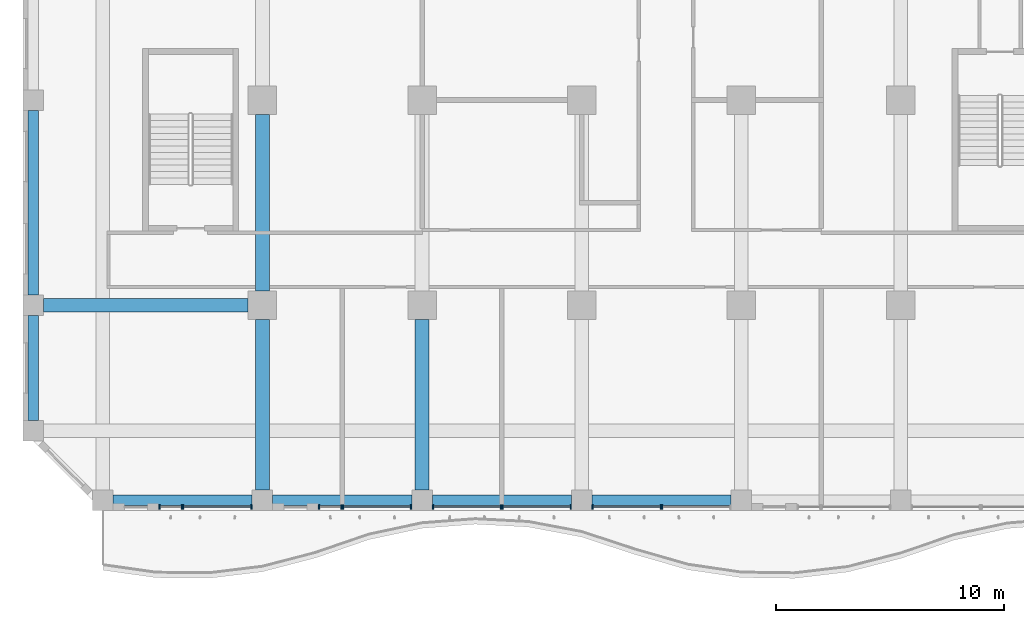
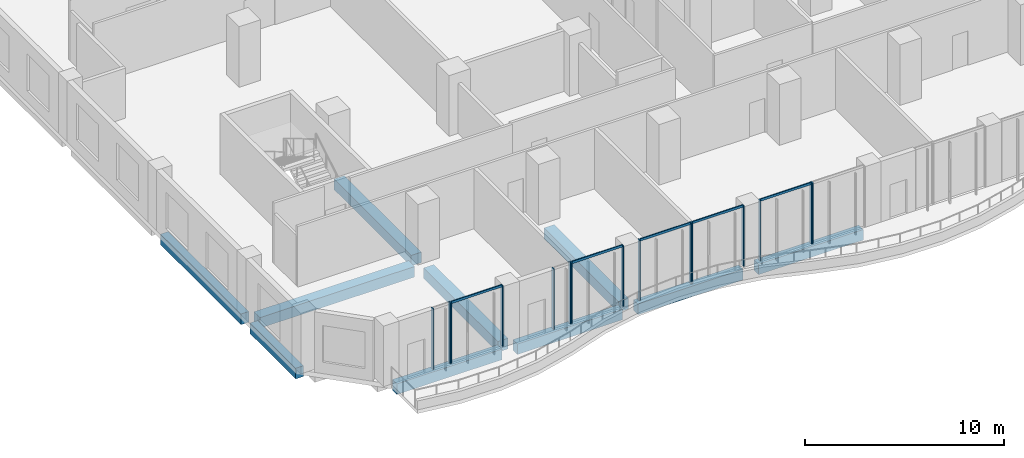
# One storey, part 2 of 29: 20 members, 10 beams, 8 elements without a shape of their own.
"""IFC4 building model written with IfcOpenShell, lengths in metres."""

from ifc_helpers import new_model, si_unit, direction, frame, origin, origin_2d, place, context, subcontext, project, spatial, rectangle, extrude, source, transform, mapped, material, material_profile, profile_set, type_object, element, aggregate, save


model = new_model("IFC4")

# Units and contexts
model_context = context("Model", 3, precision=1e-05, world=origin(), true_north=direction((0.0, 1.0)))
body_context = subcontext(model_context, "Body", "Model", "MODEL_VIEW")
ifc_project = project(units=[si_unit("LENGTHUNIT", "METRE"), si_unit("AREAUNIT", "SQUARE_METRE"), si_unit("VOLUMEUNIT", "CUBIC_METRE"), si_unit("PLANEANGLEUNIT", "RADIAN"), si_unit("MASSUNIT", "GRAM", prefix="KILO")], contexts=[model_context])

# Site, building, storey
site_placement = place(None, origin())
site = spatial("IfcSite", under=ifc_project, at=site_placement, CompositionType="ELEMENT")
building_placement = place(site_placement, origin())
building = spatial("IfcBuilding", under=site, at=building_placement, Name="Kilnfold Tower and Market Hall", CompositionType="ELEMENT")
storey_placement = place(building_placement, frame((0.0, 0.0, 79.199951171875)))
storey = spatial("IfcBuildingStorey", under=building, at=storey_placement, Name="L18", CompositionType="ELEMENT", Elevation=79.199951171875)

# Beams
ifc_material_1 = material(Name="Concrete C45", Category="concrete")
ifc_material_profile_1 = material_profile(ifc_material_1, rectangle(XDim=0.449951171875, YDim=0.64990234375, at=origin_2d()), Name="RC 450x650")
ifc_profile_set_1 = profile_set([ifc_material_profile_1], Name="Concrete C45")
beam_type_1 = type_object("IfcBeamType", Name="EDGE BEAM 450X650 C45", PredefinedType="BEAM", material=ifc_profile_set_1)
shared_shape_1 = source(origin(), body_context, "Body", "SweptSolid", [
    extrude(rectangle(XDim=0.449951171875, YDim=0.64990234375, at=origin_2d()), origin(), (0.0, 0.0, 1.0), 6.10009765625),
])
for number, where, z_axis, x_axis, name in (
    (1, (-19.050048828125, -27.550048828125, -0.60498046875), (1.0, 0.0, 0.0), (0.0, 1.0, 0.0), "Beam EB650-B2.60"),
    (2, (-12.050048828125, -27.550048828125, -0.60498046875), (1.0, 0.0, 0.0), (0.0, 1.0, 0.0), "Beam EB650-B2.61"),
    (3, (-5.050048828125, -27.550048828125, -0.60498046875), (1.0, 0.0, 0.0), (0.0, 1.0, 0.0), "Beam EB650-B2.62"),
    (4, (1.949951171875, -27.550048828125, -0.60498046875), (1.0, 0.0, 0.0), (0.0, 1.0, 0.0), "Beam EB650-B2.63"),
):
    element("IfcBeam", number, at=place(storey_placement, frame(where, z_axis=z_axis, x_axis=x_axis)), inside=storey, type_object=beam_type_1, Name=name, PredefinedType="BEAM", context=body_context, shape_type="MappedRepresentation", body=[
        mapped(shared_shape_1, transform((0.0, 0.0, 0.0))),
    ])
shared_shape_2 = source(origin(), body_context, "Body", "SweptSolid", [
    extrude(rectangle(XDim=0.449951171875, YDim=0.64990234375, at=origin_2d()), origin(), (0.0, 0.0, 1.0), 4.60009765625),
])
beam_1_placement = place(storey_placement, frame((-22.550048828125, -24.050048828125, -0.60498046875), z_axis=(0.0, 1.0, 0.0), x_axis=(-1.0, 0.0, 0.0)))
element("IfcBeam", 5, at=beam_1_placement, inside=storey, type_object=beam_type_1, Name="Beam EB650-B2.37", PredefinedType="BEAM", context=body_context, shape_type="MappedRepresentation", body=[
    mapped(shared_shape_2, transform((0.0, 0.0, 0.0))),
])
shared_shape_3 = source(origin(), body_context, "Body", "SweptSolid", [
    extrude(rectangle(XDim=0.449951171875, YDim=0.64990234375, at=origin_2d()), origin(), (0.0, 0.0, 1.0), 8.10009765625),
])
beam_2_placement = place(storey_placement, frame((-22.550048828125, -18.550048828125, -0.60498046875), z_axis=(0.0, 1.0, 0.0), x_axis=(-1.0, 0.0, 0.0)))
element("IfcBeam", 6, at=beam_2_placement, inside=storey, type_object=beam_type_1, Name="Beam EB650-B2.38", PredefinedType="BEAM", context=body_context, shape_type="MappedRepresentation", body=[
    mapped(shared_shape_3, transform((0.0, 0.0, 0.0))),
])
ifc_material_2 = material(Name="Concrete C45", Category="concrete")
ifc_material_profile_2 = material_profile(ifc_material_2, rectangle(XDim=0.60009765625, YDim=0.64990234375, at=origin_2d()), Name="RC 600x650")
ifc_profile_set_2 = profile_set([ifc_material_profile_2], Name="Concrete C45")
beam_type_2 = type_object("IfcBeamType", Name="BEAM 600X650 C45", PredefinedType="BEAM", material=ifc_profile_set_2)
shared_shape_4 = source(origin(), body_context, "Body", "SweptSolid", [
    extrude(rectangle(XDim=0.60009765625, YDim=0.64990234375, at=origin_2d()), origin(), (0.0, 0.0, 1.0), 8.97509765625),
])
beam_3_placement = place(storey_placement, frame((-22.10009765625, -19.0, -0.60498046875), z_axis=(1.0, 0.0, 0.0), x_axis=(0.0, 1.0, 0.0)))
element("IfcBeam", 7, at=beam_3_placement, inside=storey, type_object=beam_type_2, Name="Beam BB650-B2.68", PredefinedType="BEAM", context=body_context, shape_type="MappedRepresentation", body=[
    mapped(shared_shape_4, transform((0.0, 0.0, 0.0))),
])
shared_shape_5 = source(origin(), body_context, "Body", "SweptSolid", [
    extrude(rectangle(XDim=0.60009765625, YDim=0.64990234375, at=origin_2d()), origin(), (0.0, 0.0, 1.0), 7.47509765625),
])
for number, where, z_axis, x_axis, name in (
    (8, (-12.5, -27.10009765625, -0.60498046875), (0.0, 1.0, 0.0), (-1.0, 0.0, 0.0), "Beam BB650-B2.82"),
    (9, (-5.5, -27.10009765625, -0.60498046875), (0.0, 1.0, 0.0), (-1.0, 0.0, 0.0), "Beam BB650-B2.85"),
):
    element("IfcBeam", number, at=place(storey_placement, frame(where, z_axis=z_axis, x_axis=x_axis)), inside=storey, type_object=beam_type_2, Name=name, PredefinedType="BEAM", context=body_context, shape_type="MappedRepresentation", body=[
        mapped(shared_shape_5, transform((0.0, 0.0, 0.0))),
    ])
shared_shape_6 = source(origin(), body_context, "Body", "SweptSolid", [
    extrude(rectangle(XDim=0.60009765625, YDim=0.64990234375, at=origin_2d()), origin(), (0.0, 0.0, 1.0), 7.75),
])
beam_4_placement = place(storey_placement, frame((-12.5, -18.375, -0.60498046875), z_axis=(0.0, 1.0, 0.0), x_axis=(-1.0, 0.0, 0.0)))
element("IfcBeam", 10, at=beam_4_placement, inside=storey, type_object=beam_type_2, Name="Beam BB650-B2.83", PredefinedType="BEAM", context=body_context, shape_type="MappedRepresentation", body=[
    mapped(shared_shape_6, transform((0.0, 0.0, 0.0))),
])

# Curtain wall, members
ifc_material_3 = material(Name="Aluminium and double glazing", Category="aluminium")
curtain_wall_type = type_object("IfcCurtainWallType", Name="CW OF1 VALLEY GLAZING", PredefinedType="NOTDEFINED", material=ifc_material_3)
curtain_wall_1_placement = place(storey_placement, origin())
curtain_wall_1 = element("IfcCurtainWall", 11, at=curtain_wall_1_placement, inside=storey, type_object=curtain_wall_type, Name="Curtain wall CW1 L18 S", PredefinedType="NOTDEFINED")
ifc_material_4 = material(Name="Aluminium", Category="aluminium")
ifc_material_profile_3 = material_profile(ifc_material_4, rectangle(XDim=0.06005859375, YDim=0.179931640625, at=origin_2d()), Name="MULLION 60x180")
ifc_profile_set_3 = profile_set([ifc_material_profile_3], Name="Aluminium")
member_type_1 = type_object("IfcMemberType", Name="MULLION 60X180", PredefinedType="MULLION", material=ifc_profile_set_3)
shared_shape_7 = source(origin(), body_context, "Body", "SweptSolid", [
    extrude(rectangle(XDim=0.06005859375, YDim=0.179931640625, at=origin_2d()), origin(), (0.0, 0.0, 1.0), 3.719970703125),
])
member_1_placement = place(storey_placement, frame((-17.02001953125, -27.85009765625, 0.0), z_axis=(0.0, 0.0, 1.0), x_axis=(1.0, 0.0, 0.0)))
member_1 = element("IfcMember", 12, at=member_1_placement, type_object=member_type_1, Name="CW1 mullion 1", PredefinedType="MULLION", context=body_context, shape_type="MappedRepresentation", body=[
    mapped(shared_shape_7, transform((0.0, 0.0, 0.0))),
])
member_2_placement = place(storey_placement, frame((-16.030029296875, -27.85009765625, 0.0), z_axis=(0.0, 0.0, 1.0), x_axis=(1.0, 0.0, 0.0)))
member_2 = element("IfcMember", 13, at=member_2_placement, type_object=member_type_1, Name="CW1 mullion 2", PredefinedType="MULLION", context=body_context, shape_type="MappedRepresentation", body=[
    mapped(shared_shape_7, transform((0.0, 0.0, 0.0))),
])
aggregate(curtain_wall_1, [member_1, member_2])

curtain_wall_2_placement = place(storey_placement, origin())
curtain_wall_2 = element("IfcCurtainWall", 14, at=curtain_wall_2_placement, inside=storey, type_object=curtain_wall_type, Name="Curtain wall CW1 L18 S", PredefinedType="NOTDEFINED")
member_3_placement = place(storey_placement, frame((-15.969970703125, -27.85009765625, 0.0), z_axis=(0.0, 0.0, 1.0), x_axis=(1.0, 0.0, 0.0)))
member_3 = element("IfcMember", 15, at=member_3_placement, type_object=member_type_1, Name="CW1 mullion 1", PredefinedType="MULLION", context=body_context, shape_type="MappedRepresentation", body=[
    mapped(shared_shape_7, transform((0.0, 0.0, 0.0))),
])
member_4_placement = place(storey_placement, frame((-12.97998046875, -27.85009765625, 0.0), z_axis=(0.0, 0.0, 1.0), x_axis=(1.0, 0.0, 0.0)))
member_4 = element("IfcMember", 16, at=member_4_placement, type_object=member_type_1, Name="CW1 mullion 2", PredefinedType="MULLION", context=body_context, shape_type="MappedRepresentation", body=[
    mapped(shared_shape_7, transform((0.0, 0.0, 0.0))),
])

curtain_wall_3_placement = place(storey_placement, origin())
curtain_wall_3 = element("IfcCurtainWall", 17, at=curtain_wall_3_placement, inside=storey, type_object=curtain_wall_type, Name="Curtain wall CW1 L18 S", PredefinedType="NOTDEFINED")
member_5_placement = place(storey_placement, frame((-10.02001953125, -27.85009765625, 0.0), z_axis=(0.0, 0.0, 1.0), x_axis=(1.0, 0.0, 0.0)))
member_5 = element("IfcMember", 18, at=member_5_placement, type_object=member_type_1, Name="CW1 mullion 1", PredefinedType="MULLION", context=body_context, shape_type="MappedRepresentation", body=[
    mapped(shared_shape_7, transform((0.0, 0.0, 0.0))),
])
member_6_placement = place(storey_placement, frame((-9.030029296875, -27.85009765625, 0.0), z_axis=(0.0, 0.0, 1.0), x_axis=(1.0, 0.0, 0.0)))
member_6 = element("IfcMember", 19, at=member_6_placement, type_object=member_type_1, Name="CW1 mullion 2", PredefinedType="MULLION", context=body_context, shape_type="MappedRepresentation", body=[
    mapped(shared_shape_7, transform((0.0, 0.0, 0.0))),
])
aggregate(curtain_wall_3, [member_5, member_6])

curtain_wall_4_placement = place(storey_placement, origin())
curtain_wall_4 = element("IfcCurtainWall", 20, at=curtain_wall_4_placement, inside=storey, type_object=curtain_wall_type, Name="Curtain wall CW1 L18 S", PredefinedType="NOTDEFINED")
member_7_placement = place(storey_placement, frame((-8.969970703125, -27.85009765625, 0.0), z_axis=(0.0, 0.0, 1.0), x_axis=(1.0, 0.0, 0.0)))
member_7 = element("IfcMember", 21, at=member_7_placement, type_object=member_type_1, Name="CW1 mullion 1", PredefinedType="MULLION", context=body_context, shape_type="MappedRepresentation", body=[
    mapped(shared_shape_7, transform((0.0, 0.0, 0.0))),
])
member_8_placement = place(storey_placement, frame((-5.97998046875, -27.85009765625, 0.0), z_axis=(0.0, 0.0, 1.0), x_axis=(1.0, 0.0, 0.0)))
member_8 = element("IfcMember", 22, at=member_8_placement, type_object=member_type_1, Name="CW1 mullion 2", PredefinedType="MULLION", context=body_context, shape_type="MappedRepresentation", body=[
    mapped(shared_shape_7, transform((0.0, 0.0, 0.0))),
])

curtain_wall_5_placement = place(storey_placement, origin())
curtain_wall_5 = element("IfcCurtainWall", 23, at=curtain_wall_5_placement, inside=storey, type_object=curtain_wall_type, Name="Curtain wall CW1 L18 S", PredefinedType="NOTDEFINED")
member_9_placement = place(storey_placement, frame((-5.02001953125, -27.85009765625, 0.0), z_axis=(0.0, 0.0, 1.0), x_axis=(1.0, 0.0, 0.0)))
member_9 = element("IfcMember", 24, at=member_9_placement, type_object=member_type_1, Name="CW1 mullion 1", PredefinedType="MULLION", context=body_context, shape_type="MappedRepresentation", body=[
    mapped(shared_shape_7, transform((0.0, 0.0, 0.0))),
])
member_10_placement = place(storey_placement, frame((-2.030029296875, -27.85009765625, 0.0), z_axis=(0.0, 0.0, 1.0), x_axis=(1.0, 0.0, 0.0)))
member_10 = element("IfcMember", 25, at=member_10_placement, type_object=member_type_1, Name="CW1 mullion 2", PredefinedType="MULLION", context=body_context, shape_type="MappedRepresentation", body=[
    mapped(shared_shape_7, transform((0.0, 0.0, 0.0))),
])

curtain_wall_6_placement = place(storey_placement, origin())
curtain_wall_6 = element("IfcCurtainWall", 26, at=curtain_wall_6_placement, inside=storey, type_object=curtain_wall_type, Name="Curtain wall CW1 L18 S", PredefinedType="NOTDEFINED")
member_11_placement = place(storey_placement, frame((-1.969970703125, -27.85009765625, 0.0), z_axis=(0.0, 0.0, 1.0), x_axis=(1.0, 0.0, 0.0)))
member_11 = element("IfcMember", 27, at=member_11_placement, type_object=member_type_1, Name="CW1 mullion 1", PredefinedType="MULLION", context=body_context, shape_type="MappedRepresentation", body=[
    mapped(shared_shape_7, transform((0.0, 0.0, 0.0))),
])
member_12_placement = place(storey_placement, frame((1.02001953125, -27.85009765625, 0.0), z_axis=(0.0, 0.0, 1.0), x_axis=(1.0, 0.0, 0.0)))
member_12 = element("IfcMember", 28, at=member_12_placement, type_object=member_type_1, Name="CW1 mullion 2", PredefinedType="MULLION", context=body_context, shape_type="MappedRepresentation", body=[
    mapped(shared_shape_7, transform((0.0, 0.0, 0.0))),
])

curtain_wall_7_placement = place(storey_placement, origin())
curtain_wall_7 = element("IfcCurtainWall", 29, at=curtain_wall_7_placement, inside=storey, type_object=curtain_wall_type, Name="Curtain wall CW1 L18 S", PredefinedType="NOTDEFINED")
member_13_placement = place(storey_placement, frame((1.97998046875, -27.85009765625, 0.0), z_axis=(0.0, 0.0, 1.0), x_axis=(1.0, 0.0, 0.0)))
member_13 = element("IfcMember", 30, at=member_13_placement, type_object=member_type_1, Name="CW1 mullion 1", PredefinedType="MULLION", context=body_context, shape_type="MappedRepresentation", body=[
    mapped(shared_shape_7, transform((0.0, 0.0, 0.0))),
])
member_14_placement = place(storey_placement, frame((4.969970703125, -27.85009765625, 0.0), z_axis=(0.0, 0.0, 1.0), x_axis=(1.0, 0.0, 0.0)))
member_14 = element("IfcMember", 31, at=member_14_placement, type_object=member_type_1, Name="CW1 mullion 2", PredefinedType="MULLION", context=body_context, shape_type="MappedRepresentation", body=[
    mapped(shared_shape_7, transform((0.0, 0.0, 0.0))),
])

# Curtain wall, member
curtain_wall_8_placement = place(storey_placement, origin())
curtain_wall_8 = element("IfcCurtainWall", 32, at=curtain_wall_8_placement, inside=storey, type_object=curtain_wall_type, Name="Curtain wall CW1 L18 S", PredefinedType="NOTDEFINED")
member_15_placement = place(storey_placement, frame((5.030029296875, -27.85009765625, 0.0), z_axis=(0.0, 0.0, 1.0), x_axis=(1.0, 0.0, 0.0)))
member_15 = element("IfcMember", 33, at=member_15_placement, type_object=member_type_1, Name="CW1 mullion 1", PredefinedType="MULLION", context=body_context, shape_type="MappedRepresentation", body=[
    mapped(shared_shape_7, transform((0.0, 0.0, 0.0))),
])
aggregate(curtain_wall_8, [member_15])

# Member
ifc_material_5 = material(Name="Aluminium", Category="aluminium")
ifc_material_profile_4 = material_profile(ifc_material_5, rectangle(XDim=0.06005859375, YDim=0.139892578125, at=origin_2d()), Name="TRANSOM 60x140")
ifc_profile_set_4 = profile_set([ifc_material_profile_4], Name="Aluminium")
member_type_2 = type_object("IfcMemberType", Name="TRANSOM 60X140", PredefinedType="USERDEFINED", material=ifc_profile_set_4)
shared_shape_8 = source(origin(), body_context, "Body", "SweptSolid", [
    extrude(rectangle(XDim=0.06005859375, YDim=0.139892578125, at=origin_2d()), origin(), (0.0, 0.0, 1.0), 2.929931640625),
])
member_16_placement = place(storey_placement, frame((-15.93994140625, -27.85009765625, 3.68994140625), z_axis=(1.0, 0.0, 0.0), x_axis=(0.0, 1.0, 0.0)))
member_16 = element("IfcMember", 34, at=member_16_placement, type_object=member_type_2, Name="CW1 transom 1.2", ObjectType="TRANSOM", PredefinedType="USERDEFINED", context=body_context, shape_type="MappedRepresentation", body=[
    mapped(shared_shape_8, transform((0.0, 0.0, 0.0))),
])

aggregate(curtain_wall_2, [member_3, member_4, member_16])

member_17_placement = place(storey_placement, frame((-8.93994140625, -27.85009765625, 3.68994140625), z_axis=(1.0, 0.0, 0.0), x_axis=(0.0, 1.0, 0.0)))
member_17 = element("IfcMember", 35, at=member_17_placement, type_object=member_type_2, Name="CW1 transom 1.2", ObjectType="TRANSOM", PredefinedType="USERDEFINED", context=body_context, shape_type="MappedRepresentation", body=[
    mapped(shared_shape_8, transform((0.0, 0.0, 0.0))),
])

aggregate(curtain_wall_4, [member_7, member_8, member_17])

member_18_placement = place(storey_placement, frame((-4.989990234375, -27.85009765625, 3.68994140625), z_axis=(1.0, 0.0, 0.0), x_axis=(0.0, 1.0, 0.0)))
member_18 = element("IfcMember", 36, at=member_18_placement, type_object=member_type_2, Name="CW1 transom 1.2", ObjectType="TRANSOM", PredefinedType="USERDEFINED", context=body_context, shape_type="MappedRepresentation", body=[
    mapped(shared_shape_8, transform((0.0, 0.0, 0.0))),
])

aggregate(curtain_wall_5, [member_9, member_10, member_18])

member_19_placement = place(storey_placement, frame((-1.93994140625, -27.85009765625, 3.68994140625), z_axis=(1.0, 0.0, 0.0), x_axis=(0.0, 1.0, 0.0)))
member_19 = element("IfcMember", 37, at=member_19_placement, type_object=member_type_2, Name="CW1 transom 1.2", ObjectType="TRANSOM", PredefinedType="USERDEFINED", context=body_context, shape_type="MappedRepresentation", body=[
    mapped(shared_shape_8, transform((0.0, 0.0, 0.0))),
])

aggregate(curtain_wall_6, [member_11, member_12, member_19])

member_20_placement = place(storey_placement, frame((2.010009765625, -27.85009765625, 3.68994140625), z_axis=(1.0, 0.0, 0.0), x_axis=(0.0, 1.0, 0.0)))
member_20 = element("IfcMember", 38, at=member_20_placement, type_object=member_type_2, Name="CW1 transom 1.2", ObjectType="TRANSOM", PredefinedType="USERDEFINED", context=body_context, shape_type="MappedRepresentation", body=[
    mapped(shared_shape_8, transform((0.0, 0.0, 0.0))),
])

aggregate(curtain_wall_7, [member_13, member_14, member_20])

save(model, "model.ifc")
